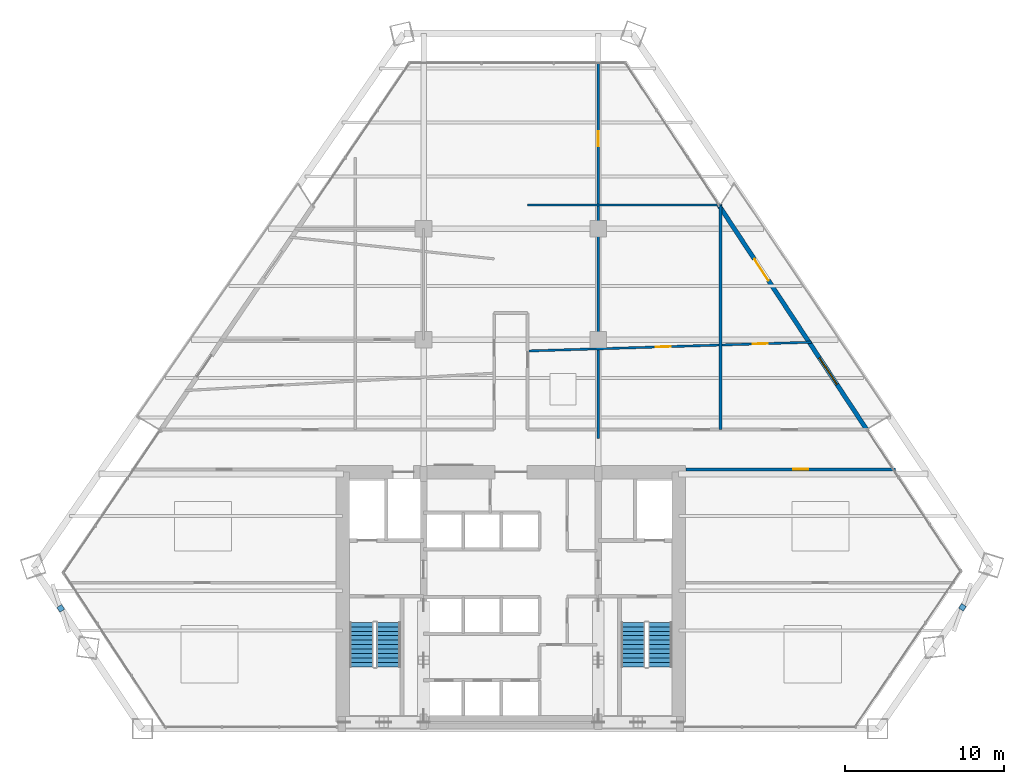
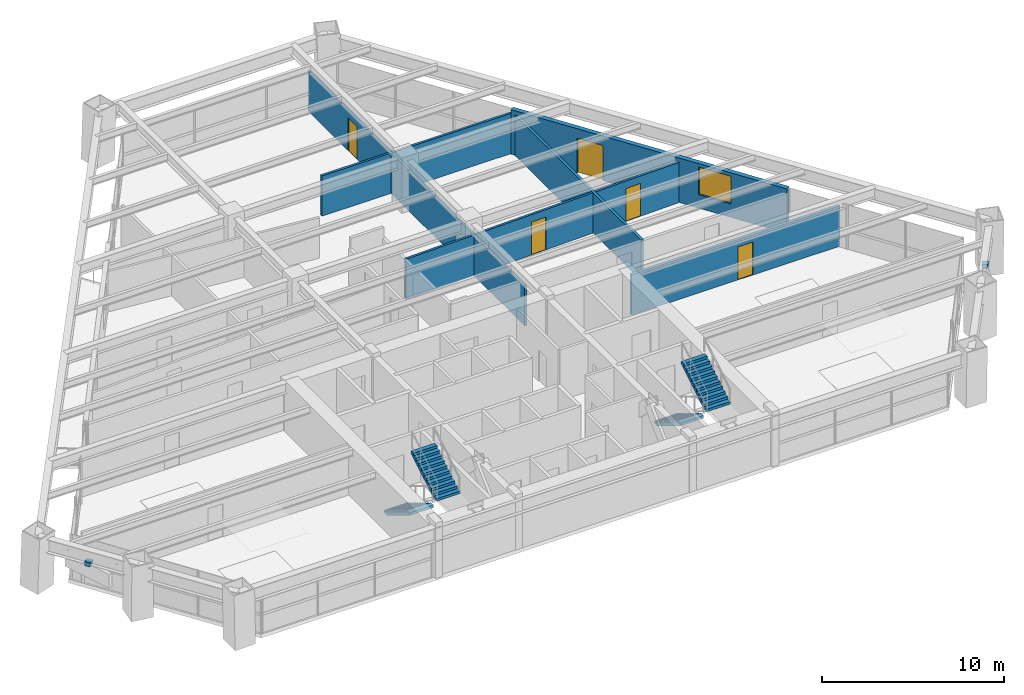
# One storey, part 12 of 14: 6 walls, 5 doors, 4 stair flights, 2 discrete accessories, 1 window, 6 openings, 2 elements without a shape of their own.
"""IFC4 building model written with IfcOpenShell, lengths in metres."""

from ifc_helpers import new_model, si_unit, direction, frame, frame_2d, origin, origin_2d, place, context, subcontext, project, spatial, polyline, rectangle, outline, extrude, source, transform, mapped, material, layer, layer_set, type_object, type_shapes, element, fill, aggregate, save


model = new_model("IFC4")

# Units and contexts
model_context = context("Model", 3, precision=1e-05, world=origin(), true_north=direction((0.0, 1.0)))
body_context = subcontext(model_context, "Body", "Model", "MODEL_VIEW")
ifc_project = project(units=[si_unit("LENGTHUNIT", "METRE"), si_unit("AREAUNIT", "SQUARE_METRE"), si_unit("VOLUMEUNIT", "CUBIC_METRE"), si_unit("PLANEANGLEUNIT", "RADIAN"), si_unit("MASSUNIT", "GRAM", prefix="KILO")], contexts=[model_context])

# Site, building, storey
site_placement = place(None, origin())
site = spatial("IfcSite", under=ifc_project, at=site_placement, CompositionType="ELEMENT")
building_placement = place(site_placement, origin())
building = spatial("IfcBuilding", under=site, at=building_placement, Name="Varnakhor Terracotta Tower", CompositionType="ELEMENT")
storey_placement = place(building_placement, frame((0.0, 0.0, 68.199951171875)))
storey = spatial("IfcBuildingStorey", under=building, at=storey_placement, Name="L16", CompositionType="ELEMENT", Elevation=68.199951171875)

# Wall, opening, door
ifc_material_1 = material(Name="Fire-Rated Gypsum Stud Partition", Category="gypsum")
ifc_layer_1 = layer(ifc_material_1, 0.18505859375, Name="Fire-Rated Gypsum Stud Partition")
ifc_layer_set_1 = layer_set([ifc_layer_1], Name="Fire-Rated Gypsum Stud Partition")
wall_type_1 = type_object("IfcWallType", Name="WAL-CORR-185", PredefinedType="PARTITIONING", material=ifc_layer_set_1)
wall_1_placement = place(storey_placement, frame((11.02001953125, 16.35009765625, 0.0), z_axis=(0.0, 0.0, 1.0), x_axis=(1.0, 0.0, 0.0)))
wall_1 = element("IfcWall", 1, at=wall_1_placement, inside=storey, type_object=wall_type_1, Name="L16 South East Corridor Wall", PredefinedType="PARTITIONING", context=body_context, shape_type="SweptSolid", body=[
    extrude(rectangle(XDim=13.188720703125, YDim=0.18505859375, at=frame_2d((6.59423828125, 0.0))), origin(), (0.0, 0.0, 1.0), 2.697021484375),
])
opening_1_placement = place(wall_1_placement, frame((6.744873046875, 0.0, 0.0)))
opening_1 = element("IfcOpeningElement", 2, at=opening_1_placement, cuts=wall_1, Name="Opening DR-94", PredefinedType="OPENING", context=body_context, shape_type="SweptSolid", body=[
    extrude(rectangle(XDim=0.949951171875, YDim=2.199951171875, at=frame_2d((0.47509765625, 1.10009765625))), frame((0.0, 0.1025390625, 0.0), z_axis=(0.0, -1.0, 0.0), x_axis=(1.0, 0.0, 0.0)), (0.0, 0.0, 1.0), 0.205078125),
])
ifc_material_2 = material(Name="Acoustic Glazed-Vision Timber Office Door", Category="wood")
door_type_1 = type_object("IfcDoorType", Name="DR-OFF-950X2200", OperationType="NOTDEFINED", PredefinedType="DOOR", material=ifc_material_2)
shared_shape_1 = source(origin(), body_context, "Body", "SweptSolid", [
    extrude(rectangle(XDim=0.949951171875, YDim=2.199951171875, at=frame_2d((0.47509765625, 1.10009765625))), frame((0.0, 0.02490234375, 0.0), z_axis=(0.0, -1.0, 0.0), x_axis=(1.0, 0.0, 0.0)), (0.0, 0.0, 1.0), 0.050048828125),
])
type_shapes(door_type_1, [shared_shape_1])
door_1_placement = place(opening_1_placement, origin())
door_1 = element("IfcDoor", 3, at=door_1_placement, inside=storey, type_object=door_type_1, Name="L16 SE Suite Door", OperationType="SINGLE_SWING_RIGHT", OverallHeight=2.199951171875, OverallWidth=0.949951171875, PredefinedType="DOOR", context=body_context, shape_type="MappedRepresentation", body=[
    mapped(shared_shape_1, transform((0.0, 0.0, 0.0), scale=1.0)),
])
fill(opening_1, door_1)

# Wall, openings, door, window
ifc_material_3 = material(Name="Extruded Architectural Terracotta Assembly", Category="masonry")
ifc_layer_2 = layer(ifc_material_3, 0.280029296875, Name="Extruded Architectural Terracotta Assembly")
ifc_layer_set_2 = layer_set([ifc_layer_2], Name="Extruded Architectural Terracotta Assembly")
wall_type_2 = type_object("IfcWallType", Name="WAL-EXT-TERRACOTTA-280", PredefinedType="SOLIDWALL", material=ifc_layer_set_2)
wall_2_placement = place(storey_placement, frame((13.09716796875, 32.97509765625, 0.0), z_axis=(0.0, 0.0, 1.0), x_axis=(0.550258972905, -0.834994049522, 0.0)))
wall_2 = element("IfcWall", 4, at=wall_2_placement, inside=storey, type_object=wall_type_2, Name="L16 E Loggia Insulated Terracotta Wall", PredefinedType="SOLIDWALL", context=body_context, shape_type="SweptSolid", body=[
    extrude(rectangle(XDim=16.927490234375, YDim=0.280029296875, at=frame_2d((8.4638671875, 0.0))), origin(), (0.0, 0.0, 1.0), 2.97998046875),
])
opening_2_placement = place(wall_2_placement, frame((4.0625, 0.0, 0.0)))
opening_2 = element("IfcOpeningElement", 5, at=opening_2_placement, cuts=wall_2, Name="Opening DR-62", PredefinedType="OPENING", context=body_context, shape_type="SweptSolid", body=[
    extrude(rectangle(XDim=1.60009765625, YDim=2.35009765625, at=frame_2d((0.800048828125, 1.175048828125))), frame((0.0, 0.14990234375, 0.0), z_axis=(0.0, -1.0, 0.0), x_axis=(1.0, 0.0, 0.0)), (0.0, 0.0, 1.0), 0.300048828125),
])
opening_3_placement = place(wall_2_placement, frame((11.5107421875, 0.0, 0.89990234375)))
opening_3 = element("IfcOpeningElement", 6, at=opening_3_placement, cuts=wall_2, Name="Opening WN-26", PredefinedType="OPENING", context=body_context, shape_type="SweptSolid", body=[
    extrude(rectangle(XDim=2.0, YDim=1.85009765625, at=frame_2d((1.0, 0.925048828125))), frame((0.0, 0.14990234375, 0.0), z_axis=(0.0, -1.0, 0.0), x_axis=(1.0, 0.0, 0.0)), (0.0, 0.0, 1.0), 0.300048828125),
])
ifc_material_4 = material(Name="Thermally Broken Sliding Glass Loggia Door", Category="glass")
door_type_2 = type_object("IfcDoorType", Name="DR-EXT-LOGGIA-1600X2350", OperationType="NOTDEFINED", PredefinedType="DOOR", material=ifc_material_4)
shared_shape_2 = source(origin(), body_context, "Body", "SweptSolid", [
    extrude(rectangle(XDim=1.60009765625, YDim=2.35009765625, at=frame_2d((0.800048828125, 1.175048828125))), frame((0.0, 0.02490234375, 0.0), z_axis=(0.0, -1.0, 0.0), x_axis=(1.0, 0.0, 0.0)), (0.0, 0.0, 1.0), 0.050048828125),
])
type_shapes(door_type_2, [shared_shape_2])
door_2_placement = place(opening_2_placement, origin())
door_2 = element("IfcDoor", 7, at=door_2_placement, inside=storey, type_object=door_type_2, Name="L16 E Recessed Loggia Sliding Door", OperationType="SLIDING_TO_RIGHT", OverallHeight=2.35009765625, OverallWidth=1.60009765625, PredefinedType="DOOR", context=body_context, shape_type="MappedRepresentation", body=[
    mapped(shared_shape_2, transform((0.0, 0.0, 0.0), scale=1.0)),
])
fill(opening_2, door_2)
ifc_material_5 = material(Name="Solar-Control Low-E Insulated Glass Unit", Category="glass")
window_type = type_object("IfcWindowType", Name="WIN-OFF-2200X2100", PartitioningType="SINGLE_PANEL", PredefinedType="WINDOW", material=ifc_material_5)
shared_shape_3 = source(origin(), body_context, "Body", "SweptSolid", [
    extrude(rectangle(XDim=2.0, YDim=1.85009765625, at=frame_2d((1.0, 0.925048828125))), frame((0.0, 0.030029296875, 0.0), z_axis=(0.0, -1.0, 0.0), x_axis=(1.0, 0.0, 0.0)), (0.0, 0.0, 1.0), 0.06005859375),
])
type_shapes(window_type, [shared_shape_3])
window_placement = place(opening_3_placement, origin())
window = element("IfcWindow", 8, at=window_placement, inside=storey, type_object=window_type, Name="L16 E Facet Punched Window", OverallHeight=1.85009765625, OverallWidth=2.0, PartitioningType="SINGLE_PANEL", PredefinedType="WINDOW", context=body_context, shape_type="MappedRepresentation", body=[
    mapped(shared_shape_3, transform((0.0, 0.0, 0.0), scale=1.0)),
])
fill(opening_3, window)

# Wall, opening, door
ifc_material_6 = material(Name="Acoustic Metal-Stud Partition", Category="gypsum")
ifc_layer_3 = layer(ifc_material_6, 0.139892578125, Name="Acoustic Metal-Stud Partition")
ifc_layer_set_3 = layer_set([ifc_layer_3], Name="Acoustic Metal-Stud Partition")
wall_type_3 = type_object("IfcWallType", Name="WAL-PART-140", PredefinedType="PARTITIONING", material=ifc_layer_set_3)
wall_3_placement = place(storey_placement, frame((5.5, 18.300048828125, 0.0), z_axis=(0.0, 0.0, 1.0), x_axis=(0.0, 1.0, 0.0)))
wall_3 = element("IfcWall", 9, at=wall_3_placement, inside=storey, type_object=wall_type_3, Name="L16 East Full Column Wall", PredefinedType="PARTITIONING", context=body_context, shape_type="SweptSolid", body=[
    extrude(rectangle(XDim=23.73681640625, YDim=0.139892578125, at=frame_2d((11.868408203125, 0.0))), origin(), (0.0, 0.0, 1.0), 2.697021484375),
])
opening_4_placement = place(wall_3_placement, frame((18.39892578125, 0.0, 0.0)))
opening_4 = element("IfcOpeningElement", 10, at=opening_4_placement, cuts=wall_3, Name="Opening DR-94", PredefinedType="OPENING", context=body_context, shape_type="SweptSolid", body=[
    extrude(rectangle(XDim=0.949951171875, YDim=2.199951171875, at=frame_2d((0.47509765625, 1.10009765625))), frame((0.0, 0.080078125, 0.0), z_axis=(0.0, -1.0, 0.0), x_axis=(1.0, 0.0, 0.0)), (0.0, 0.0, 1.0), 0.159912109375),
])
door_3_placement = place(opening_4_placement, origin())
door_3 = element("IfcDoor", 11, at=door_3_placement, inside=storey, type_object=door_type_1, Name="L16 Tea Point Door", OperationType="SINGLE_SWING_RIGHT", OverallHeight=2.199951171875, OverallWidth=0.949951171875, PredefinedType="DOOR", context=body_context, shape_type="MappedRepresentation", body=[
    mapped(shared_shape_1, transform((0.0, 0.0, 0.0), scale=1.0)),
])
fill(opening_4, door_3)

# Wall, openings, doors
wall_4_placement = place(storey_placement, frame((1.050048828125, 23.800048828125, 0.0), z_axis=(0.0, 0.0, 1.0), x_axis=(0.99952105976, 0.030945938291, 0.0)))
wall_4 = element("IfcWall", 12, at=wall_4_placement, inside=storey, type_object=wall_type_3, Name="L16 East Wing Cut 1", PredefinedType="PARTITIONING", context=body_context, shape_type="SweptSolid", body=[
    extrude(rectangle(XDim=17.892822265625, YDim=0.139892578125, at=frame_2d((8.9462890625, 0.0))), origin(), (0.0, 0.0, 1.0), 2.697021484375),
])
opening_5_placement = place(wall_4_placement, frame((8.080322265625, 0.0, 0.0)))
opening_5 = element("IfcOpeningElement", 13, at=opening_5_placement, cuts=wall_4, Name="Opening DR-94", PredefinedType="OPENING", context=body_context, shape_type="SweptSolid", body=[
    extrude(rectangle(XDim=0.949951171875, YDim=2.199951171875, at=frame_2d((0.47509765625, 1.10009765625))), frame((0.0, 0.080078125, 0.0), z_axis=(0.0, -1.0, 0.0), x_axis=(1.0, 0.0, 0.0)), (0.0, 0.0, 1.0), 0.159912109375),
])
opening_6_placement = place(wall_4_placement, frame((14.187255859375, 0.0, 0.0)))
opening_6 = element("IfcOpeningElement", 14, at=opening_6_placement, cuts=wall_4, Name="Opening DR-94", PredefinedType="OPENING", context=body_context, shape_type="SweptSolid", body=[
    extrude(rectangle(XDim=0.949951171875, YDim=2.199951171875, at=frame_2d((0.47509765625, 1.10009765625))), frame((0.0, 0.080078125, 0.0), z_axis=(0.0, -1.0, 0.0), x_axis=(1.0, 0.0, 0.0)), (0.0, 0.0, 1.0), 0.159912109375),
])
door_4_placement = place(opening_5_placement, origin())
door_4 = element("IfcDoor", 15, at=door_4_placement, inside=storey, type_object=door_type_1, Name="L16 Interview Room B15 Door", OperationType="SINGLE_SWING_LEFT", OverallHeight=2.199951171875, OverallWidth=0.949951171875, PredefinedType="DOOR", context=body_context, shape_type="MappedRepresentation", body=[
    mapped(shared_shape_1, transform((0.0, 0.0, 0.0), scale=1.0)),
])
fill(opening_5, door_4)
door_5_placement = place(opening_6_placement, origin())
door_5 = element("IfcDoor", 16, at=door_5_placement, inside=storey, type_object=door_type_1, Name="L16 Counsel Office E1 Door", OperationType="SINGLE_SWING_LEFT", OverallHeight=2.199951171875, OverallWidth=0.949951171875, PredefinedType="DOOR", context=body_context, shape_type="MappedRepresentation", body=[
    mapped(shared_shape_1, transform((0.0, 0.0, 0.0), scale=1.0)),
])
fill(opening_6, door_5)

# Walls
wall_5_placement = place(storey_placement, frame((1.050048828125, 33.0, 0.0), z_axis=(0.0, 0.0, 1.0), x_axis=(1.0, 0.0, 0.0)))
element("IfcWall", 17, at=wall_5_placement, inside=storey, type_object=wall_type_3, Name="L16 East Wing Cut 2", PredefinedType="PARTITIONING", context=body_context, shape_type="SweptSolid", body=[
    extrude(rectangle(XDim=12.1865234375, YDim=0.139892578125, at=frame_2d((6.09326171875, 0.0))), origin(), (0.0, 0.0, 1.0), 2.697021484375),
])
ifc_material_7 = material(Name="Acoustic Fire-Rated Partition", Category="gypsum")
ifc_layer_4 = layer(ifc_material_7, 0.1650390625, Name="Acoustic Fire-Rated Partition")
ifc_layer_set_4 = layer_set([ifc_layer_4], Name="Acoustic Fire-Rated Partition")
wall_type_4 = type_object("IfcWallType", Name="WAL-TENANCY-165", PredefinedType="PARTITIONING", material=ifc_layer_set_4)
wall_6_placement = place(storey_placement, frame((13.199951171875, 18.85009765625, 0.0), z_axis=(0.0, 0.0, 1.0), x_axis=(0.0, 1.0, 0.0)))
element("IfcWall", 18, at=wall_6_placement, inside=storey, type_object=wall_type_4, Name="L16 East Cellular Line", PredefinedType="PARTITIONING", context=body_context, shape_type="SweptSolid", body=[
    extrude(rectangle(XDim=14.205322265625, YDim=0.1650390625, at=frame_2d((7.1025390625, 0.0))), origin(), (0.0, 0.0, 1.0), 2.697021484375),
])

# Stair, stair flights
ifc_material_8 = material(Name="Concrete C40/50", Category="concrete")
stair_type = type_object("IfcStairType", Name="STR-CORE-OFFICE-1500", PredefinedType="HALF_TURN_STAIR", material=ifc_material_8)
stair_1_placement = place(storey_placement, origin())
stair_1 = element("IfcStair", 19, at=stair_1_placement, inside=storey, type_object=stair_type, Name="L16 Core Exit Stair ST-1", PredefinedType="HALF_TURN_STAIR")
stair_flight_type = type_object("IfcStairFlightType", Name="FLT-CORE-1500", PredefinedType="STRAIGHT", material=ifc_material_8)
stair_flight_1_placement = place(storey_placement, frame((-9.39990234375, 6.7099609375, 0.0), z_axis=(0.0, 0.0, 1.0), x_axis=(0.0, -1.0, 0.0)))
stair_flight_1 = element("IfcStairFlight", 20, at=stair_flight_1_placement, type_object=stair_flight_type, Name="ST-1 flight 1", NumberOfRisers=11, NumberOfTreads=10, PredefinedType="STRAIGHT", RiserHeight=0.168181818, TreadLength=0.28, context=body_context, shape_type="SweptSolid", body=[
    extrude(outline(polyline([(0.0, 0.0), (0.0, 0.168212890625), (0.280029296875, 0.168212890625), (0.280029296875, 0.33642578125), (0.56005859375, 0.33642578125), (0.56005859375, 0.504638671875), (0.840087890625, 0.504638671875), (0.840087890625, 0.672607421875), (1.1201171875, 0.672607421875), (1.1201171875, 0.8408203125), (1.39990234375, 0.8408203125), (1.39990234375, 1.009033203125), (1.679931640625, 1.009033203125), (1.679931640625, 1.17724609375), (1.9599609375, 1.17724609375), (1.9599609375, 1.345458984375), (2.239990234375, 1.345458984375), (2.239990234375, 1.513671875), (2.52001953125, 1.513671875), (2.52001953125, 1.681884765625), (2.800048828125, 1.681884765625), (2.800048828125, 1.85009765625), (2.800048828125, 1.495361328125), (0.310546875, 0.0), (0.0, 0.0)])), frame((0.0, 0.75, 0.0), z_axis=(0.0, -1.0, 0.0), x_axis=(1.0, 0.0, 0.0)), (0.0, 0.0, 1.0), 1.5),
])
stair_flight_2_placement = place(storey_placement, frame((-7.699951171875, 3.909912109375, 1.85009765625), z_axis=(0.0, 0.0, 1.0), x_axis=(0.0, 1.0, 0.0)))
stair_flight_2 = element("IfcStairFlight", 21, at=stair_flight_2_placement, type_object=stair_flight_type, Name="ST-1 flight 2", NumberOfRisers=11, NumberOfTreads=10, PredefinedType="STRAIGHT", RiserHeight=0.168181818, TreadLength=0.28, context=body_context, shape_type="SweptSolid", body=[
    extrude(outline(polyline([(0.0, 0.0), (0.0, 0.168212890625), (0.280029296875, 0.168212890625), (0.280029296875, 0.33642578125), (0.56005859375, 0.33642578125), (0.56005859375, 0.504638671875), (0.840087890625, 0.504638671875), (0.840087890625, 0.672607421875), (1.1201171875, 0.672607421875), (1.1201171875, 0.8408203125), (1.39990234375, 0.8408203125), (1.39990234375, 1.009033203125), (1.679931640625, 1.009033203125), (1.679931640625, 1.17724609375), (1.9599609375, 1.17724609375), (1.9599609375, 1.345458984375), (2.239990234375, 1.345458984375), (2.239990234375, 1.513671875), (2.52001953125, 1.513671875), (2.52001953125, 1.681884765625), (2.800048828125, 1.681884765625), (2.800048828125, 1.85009765625), (2.800048828125, 1.495361328125), (0.310546875, 0.0), (0.0, 0.0)])), frame((0.0, 0.75, 0.0), z_axis=(0.0, -1.0, 0.0), x_axis=(1.0, 0.0, 0.0)), (0.0, 0.0, 1.0), 1.5),
])
aggregate(stair_1, [stair_flight_1, stair_flight_2])

stair_2_placement = place(storey_placement, origin())
stair_2 = element("IfcStair", 22, at=stair_2_placement, inside=storey, type_object=stair_type, Name="L16 Core Exit Stair ST-2", PredefinedType="HALF_TURN_STAIR")
stair_flight_3_placement = place(storey_placement, frame((7.699951171875, 6.7099609375, 0.0), z_axis=(0.0, 0.0, 1.0), x_axis=(0.0, -1.0, 0.0)))
stair_flight_3 = element("IfcStairFlight", 23, at=stair_flight_3_placement, type_object=stair_flight_type, Name="ST-2 flight 1", NumberOfRisers=11, NumberOfTreads=10, PredefinedType="STRAIGHT", RiserHeight=0.168181818, TreadLength=0.28, context=body_context, shape_type="SweptSolid", body=[
    extrude(outline(polyline([(0.0, 0.0), (0.0, 0.168212890625), (0.280029296875, 0.168212890625), (0.280029296875, 0.33642578125), (0.56005859375, 0.33642578125), (0.56005859375, 0.504638671875), (0.840087890625, 0.504638671875), (0.840087890625, 0.672607421875), (1.1201171875, 0.672607421875), (1.1201171875, 0.8408203125), (1.39990234375, 0.8408203125), (1.39990234375, 1.009033203125), (1.679931640625, 1.009033203125), (1.679931640625, 1.17724609375), (1.9599609375, 1.17724609375), (1.9599609375, 1.345458984375), (2.239990234375, 1.345458984375), (2.239990234375, 1.513671875), (2.52001953125, 1.513671875), (2.52001953125, 1.681884765625), (2.800048828125, 1.681884765625), (2.800048828125, 1.85009765625), (2.800048828125, 1.495361328125), (0.310546875, 0.0), (0.0, 0.0)])), frame((0.0, 0.75, 0.0), z_axis=(0.0, -1.0, 0.0), x_axis=(1.0, 0.0, 0.0)), (0.0, 0.0, 1.0), 1.5),
])
stair_flight_4_placement = place(storey_placement, frame((9.39990234375, 3.909912109375, 1.85009765625), z_axis=(0.0, 0.0, 1.0), x_axis=(0.0, 1.0, 0.0)))
stair_flight_4 = element("IfcStairFlight", 24, at=stair_flight_4_placement, type_object=stair_flight_type, Name="ST-2 flight 2", NumberOfRisers=11, NumberOfTreads=10, PredefinedType="STRAIGHT", RiserHeight=0.168181818, TreadLength=0.28, context=body_context, shape_type="SweptSolid", body=[
    extrude(outline(polyline([(0.0, 0.0), (0.0, 0.168212890625), (0.280029296875, 0.168212890625), (0.280029296875, 0.33642578125), (0.56005859375, 0.33642578125), (0.56005859375, 0.504638671875), (0.840087890625, 0.504638671875), (0.840087890625, 0.672607421875), (1.1201171875, 0.672607421875), (1.1201171875, 0.8408203125), (1.39990234375, 0.8408203125), (1.39990234375, 1.009033203125), (1.679931640625, 1.009033203125), (1.679931640625, 1.17724609375), (1.9599609375, 1.17724609375), (1.9599609375, 1.345458984375), (2.239990234375, 1.345458984375), (2.239990234375, 1.513671875), (2.52001953125, 1.513671875), (2.52001953125, 1.681884765625), (2.800048828125, 1.681884765625), (2.800048828125, 1.85009765625), (2.800048828125, 1.495361328125), (0.310546875, 0.0), (0.0, 0.0)])), frame((0.0, 0.75, 0.0), z_axis=(0.0, -1.0, 0.0), x_axis=(1.0, 0.0, 0.0)), (0.0, 0.0, 1.0), 1.5),
])
aggregate(stair_2, [stair_flight_3, stair_flight_4])

# Discrete accessories
ifc_material_9 = material(Name="Stainless Steel Fixing Bracket", Category="steel")
discrete_accessory_type = type_object("IfcDiscreteAccessoryType", Name="BRACKET-TERRACOTTA-SCREEN", PredefinedType="BRACKET", material=ifc_material_9)
shared_shape_4 = source(origin(), body_context, "Body", "SweptSolid", [
    extrude(rectangle(XDim=0.35009765625, YDim=0.35009765625, at=origin_2d()), origin(), (0.0, 0.0, 1.0), 0.280029296875),
])
type_shapes(discrete_accessory_type, [shared_shape_4])
for number, where, z_axis, x_axis, name in (
    (25, (28.434326171875, 7.65771484375, 2.34326171875), (0.0, 0.0, 1.0), (0.56904991531, 0.822302981805, 0.0), "L16 E Screen Fixing Bracket"),
    (26, (-28.349609375, 7.595458984375, 2.34326171875), (0.0, 0.0, 1.0), (0.55752779316, -0.830158273978, 0.0), "L16 W Screen Fixing Bracket"),
):
    element("IfcDiscreteAccessory", number, at=place(storey_placement, frame(where, z_axis=z_axis, x_axis=x_axis)), inside=storey, type_object=discrete_accessory_type, Name=name, PredefinedType="BRACKET", context=body_context, shape_type="MappedRepresentation", body=[
        mapped(shared_shape_4, transform((0.0, 0.0, 0.0), scale=1.0)),
    ])

save(model, "model.ifc")
